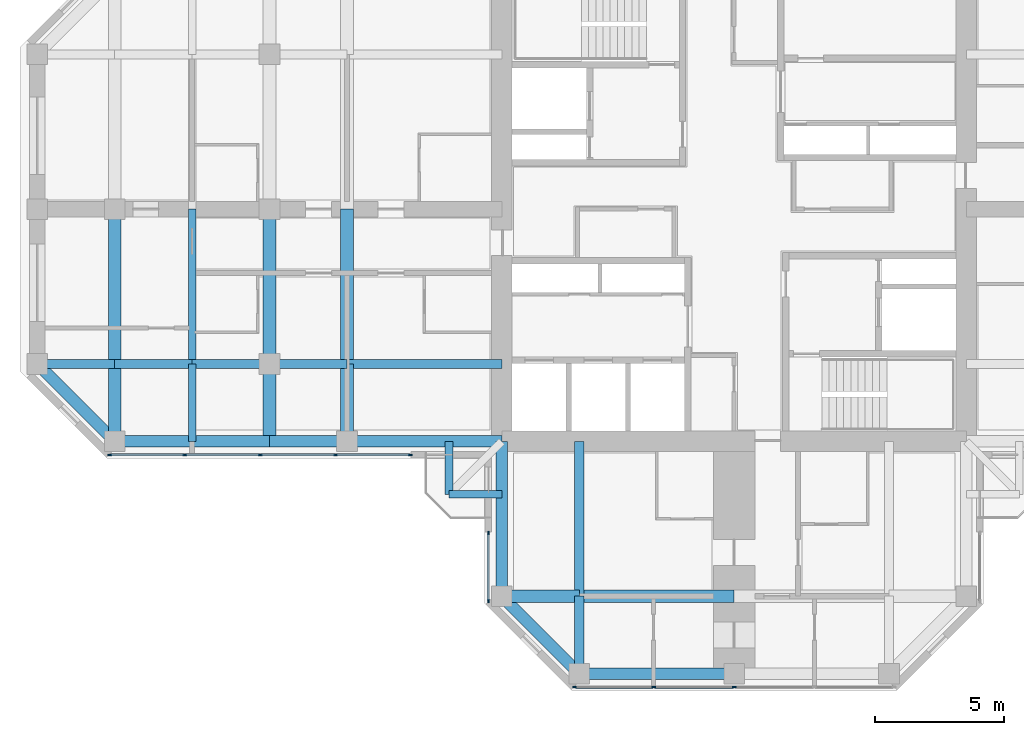
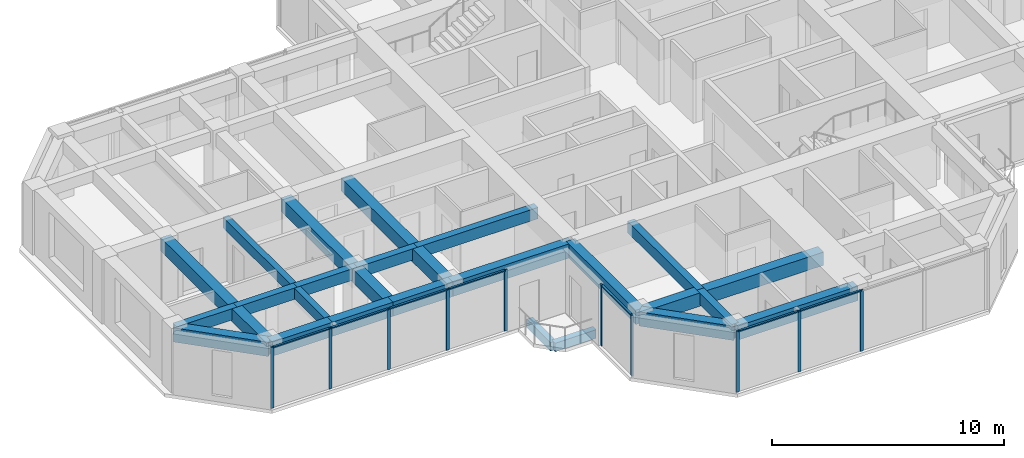
# One storey, part 2 of 14: 27 beams, 17 members, 3 elements without a shape of their own.
"""IFC4 building model written with IfcOpenShell, lengths in metres."""

from ifc_helpers import new_model, si_unit, direction, frame, origin, origin_2d, place, context, subcontext, project, spatial, rectangle, extrude, material, material_profile, profile_set, type_object, element, aggregate, save


model = new_model("IFC4")

# Units and contexts
model_context = context("Model", 3, precision=1e-05, world=origin(), true_north=direction((0.0, 1.0)))
body_context = subcontext(model_context, "Body", "Model", "MODEL_VIEW")
ifc_project = project(units=[si_unit("LENGTHUNIT", "METRE"), si_unit("AREAUNIT", "SQUARE_METRE"), si_unit("VOLUMEUNIT", "CUBIC_METRE"), si_unit("PLANEANGLEUNIT", "RADIAN"), si_unit("MASSUNIT", "GRAM", prefix="KILO")], contexts=[model_context])

# Site, building, storey
site_placement = place(None, origin())
site = spatial("IfcSite", under=ifc_project, at=site_placement, CompositionType="ELEMENT")
building_placement = place(site_placement, origin())
building = spatial("IfcBuilding", under=site, at=building_placement, Name="Torre Cruceta", CompositionType="ELEMENT")
storey_placement = place(building_placement, frame((0.0, 0.0, 228.89990234375)))
storey = spatial("IfcBuildingStorey", under=building, at=storey_placement, Name="L58", CompositionType="ELEMENT", Elevation=228.89990234375)

# Beams
ifc_material_1 = material(Name="Concrete G60 (fck 60 MPa)", Category="concrete")
ifc_material_profile_1 = material_profile(ifc_material_1, rectangle(XDim=0.300048828125, YDim=0.449951171875, at=origin_2d()), Name="RC 300X450")
ifc_profile_set_1 = profile_set([ifc_material_profile_1], Name="Concrete G60 (fck 60 MPa)")
beam_type_1 = type_object("IfcBeamType", Name="BALCONY CANTILEVER BEAM RC 300X450", PredefinedType="BEAM", material=ifc_profile_set_1)
for number, where, z_axis, x_axis, name in (
    (1, (-11.050537109375, -9.0, -0.40478515625), (0.0, -1.0, 0.0), (1.0, 0.0, 0.0), "BB1 balcony edge beam L58 W-X"),
    (2, (-9.0, -11.050537109375, -0.40478515625), (-1.0, 0.0, 0.0), (0.0, -1.0, 0.0), "BB1 balcony edge beam L58 W-Y"),
):
    element("IfcBeam", number, at=place(storey_placement, frame(where, z_axis=z_axis, x_axis=x_axis)), inside=storey, type_object=beam_type_1, Name=name, PredefinedType="BEAM", context=body_context, shape_type="SweptSolid", body=[
        extrude(rectangle(XDim=0.300048828125, YDim=0.449951171875, at=origin_2d()), origin(), (0.0, 0.0, 1.0), 2.050537109375),
    ])
ifc_material_2 = material(Name="Concrete G60 (fck 60 MPa)", Category="concrete")
ifc_material_profile_2 = material_profile(ifc_material_2, rectangle(XDim=0.35009765625, YDim=0.60009765625, at=origin_2d()), Name="RC 350X600")
ifc_profile_set_2 = profile_set([ifc_material_profile_2], Name="Concrete G60 (fck 60 MPa)")
beam_type_2 = type_object("IfcBeamType", Name="COLUMN LINE BEAM RC 350X600", PredefinedType="BEAM", material=ifc_profile_set_2)
beam_1_placement = place(storey_placement, frame((-6.0, -9.0, 2.920166015625), z_axis=(0.0, -1.0, 0.0), x_axis=(1.0, 0.0, 0.0)))
element("IfcBeam", 3, at=beam_1_placement, inside=storey, type_object=beam_type_2, Name="LB9 L58 S col- 1", PredefinedType="BEAM", context=body_context, shape_type="SweptSolid", body=[
    extrude(rectangle(XDim=0.35009765625, YDim=0.60009765625, at=origin_2d()), origin(), (0.0, 0.0, 1.0), 6.0),
])
beam_2_placement = place(storey_placement, frame((-6.0, -15.0, 2.920166015625), z_axis=(0.0, -1.0, 0.0), x_axis=(1.0, 0.0, 0.0)))
element("IfcBeam", 4, at=beam_2_placement, inside=storey, type_object=beam_type_2, Name="LB9 L58 S col- 2", PredefinedType="BEAM", context=body_context, shape_type="SweptSolid", body=[
    extrude(rectangle(XDim=0.35009765625, YDim=0.60009765625, at=origin_2d()), origin(), (0.0, 0.0, 1.0), 3.0),
])
beam_3_placement = place(storey_placement, frame((-9.0, -6.0, 2.920166015625), z_axis=(-1.0, 0.0, 0.0), x_axis=(0.0, -1.0, 0.0)))
element("IfcBeam", 5, at=beam_3_placement, inside=storey, type_object=beam_type_2, Name="LB9 L58 W col+ 1", PredefinedType="BEAM", context=body_context, shape_type="SweptSolid", body=[
    extrude(rectangle(XDim=0.35009765625, YDim=0.60009765625, at=origin_2d()), origin(), (0.0, 0.0, 1.0), 6.0),
])
for number, where, z_axis, x_axis, name in (
    (6, (-15.0, -6.0, 2.920166015625), (-1.0, 0.0, 0.0), (0.0, -1.0, 0.0), "LB9 L58 W col+ 2"),
    (7, (-18.0, -6.0, 2.920166015625), (-1.0, 0.0, 0.0), (0.0, -1.0, 0.0), "LB9 L58 W col+ 3"),
    (8, (-21.0, -6.0, 2.920166015625), (-1.0, 0.0, 0.0), (0.0, -1.0, 0.0), "LB9 L58 W col+ 4"),
    (9, (-24.0, -6.0, 2.920166015625), (-1.0, 0.0, 0.0), (0.0, -1.0, 0.0), "LB9 L58 W col+ 5"),
):
    element("IfcBeam", number, at=place(storey_placement, frame(where, z_axis=z_axis, x_axis=x_axis)), inside=storey, type_object=beam_type_2, Name=name, PredefinedType="BEAM", context=body_context, shape_type="SweptSolid", body=[
        extrude(rectangle(XDim=0.35009765625, YDim=0.60009765625, at=origin_2d()), origin(), (0.0, 0.0, 1.0), 3.0),
    ])
ifc_material_3 = material(Name="Concrete G60 (fck 60 MPa)", Category="concrete")
ifc_material_profile_3 = material_profile(ifc_material_3, rectangle(XDim=0.5, YDim=0.699951171875, at=origin_2d()), Name="RC 500X700")
ifc_profile_set_3 = profile_set([ifc_material_profile_3], Name="Concrete G60 (fck 60 MPa)")
beam_type_3 = type_object("IfcBeamType", Name="CROSS BEAM RC 500X700", PredefinedType="BEAM", material=ifc_profile_set_3)
beam_4_placement = place(storey_placement, frame((-9.0, -15.0, 2.8701171875), z_axis=(1.0, 0.0, 0.0), x_axis=(0.0, 1.0, 0.0)))
element("IfcBeam", 10, at=beam_4_placement, inside=storey, type_object=beam_type_3, Name="GB7 L58 S cross15 1", PredefinedType="BEAM", context=body_context, shape_type="SweptSolid", body=[
    extrude(rectangle(XDim=0.5, YDim=0.699951171875, at=origin_2d()), origin(), (0.0, 0.0, 1.0), 3.0),
])
for number, where, z_axis, x_axis, name in (
    (11, (-6.0, -15.0, 2.8701171875), (1.0, 0.0, 0.0), (0.0, 1.0, 0.0), "GB7 L58 S cross15 2"),
    (12, (-15.0, 0.0, 2.8701171875), (0.0, -1.0, 0.0), (1.0, 0.0, 0.0), "GB7 L58 W cross15 3"),
):
    element("IfcBeam", number, at=place(storey_placement, frame(where, z_axis=z_axis, x_axis=x_axis)), inside=storey, type_object=beam_type_3, Name=name, PredefinedType="BEAM", context=body_context, shape_type="SweptSolid", body=[
        extrude(rectangle(XDim=0.5, YDim=0.699951171875, at=origin_2d()), origin(), (0.0, 0.0, 1.0), 6.0),
    ])
beam_5_placement = place(storey_placement, frame((-15.0, -6.0, 2.8701171875), z_axis=(0.0, -1.0, 0.0), x_axis=(1.0, 0.0, 0.0)))
element("IfcBeam", 13, at=beam_5_placement, inside=storey, type_object=beam_type_3, Name="GB7 L58 W cross15 4", PredefinedType="BEAM", context=body_context, shape_type="SweptSolid", body=[
    extrude(rectangle(XDim=0.5, YDim=0.699951171875, at=origin_2d()), origin(), (0.0, 0.0, 1.0), 3.0),
])
beam_6_placement = place(storey_placement, frame((-18.0, 0.0, 2.8701171875), z_axis=(0.0, -1.0, 0.0), x_axis=(1.0, 0.0, 0.0)))
element("IfcBeam", 14, at=beam_6_placement, inside=storey, type_object=beam_type_3, Name="GB7 L58 W cross18 3", PredefinedType="BEAM", context=body_context, shape_type="SweptSolid", body=[
    extrude(rectangle(XDim=0.5, YDim=0.699951171875, at=origin_2d()), origin(), (0.0, 0.0, 1.0), 6.0),
])
beam_7_placement = place(storey_placement, frame((-18.0, -6.0, 2.8701171875), z_axis=(0.0, -1.0, 0.0), x_axis=(1.0, 0.0, 0.0)))
element("IfcBeam", 15, at=beam_7_placement, inside=storey, type_object=beam_type_3, Name="GB7 L58 W cross18 4", PredefinedType="BEAM", context=body_context, shape_type="SweptSolid", body=[
    extrude(rectangle(XDim=0.5, YDim=0.699951171875, at=origin_2d()), origin(), (0.0, 0.0, 1.0), 3.0),
])
beam_8_placement = place(storey_placement, frame((-24.0, 0.0, 2.8701171875), z_axis=(0.0, -1.0, 0.0), x_axis=(1.0, 0.0, 0.0)))
element("IfcBeam", 16, at=beam_8_placement, inside=storey, type_object=beam_type_3, Name="GB7 L58 W cross24 3", PredefinedType="BEAM", context=body_context, shape_type="SweptSolid", body=[
    extrude(rectangle(XDim=0.5, YDim=0.699951171875, at=origin_2d()), origin(), (0.0, 0.0, 1.0), 6.0),
])
beam_9_placement = place(storey_placement, frame((-24.0, -6.0, 2.8701171875), z_axis=(0.0, -1.0, 0.0), x_axis=(1.0, 0.0, 0.0)))
element("IfcBeam", 17, at=beam_9_placement, inside=storey, type_object=beam_type_3, Name="GB7 L58 W cross24 4", PredefinedType="BEAM", context=body_context, shape_type="SweptSolid", body=[
    extrude(rectangle(XDim=0.5, YDim=0.699951171875, at=origin_2d()), origin(), (0.0, 0.0, 1.0), 3.0),
])

# Curtain wall, members
ifc_material_4 = material(Name="Aluminium unitised curtain wall", Category="aluminium")
curtain_wall_type = type_object("IfcCurtainWallType", Name="CURTAIN WALL CW-D CO-LIVING UPPER", PredefinedType="USERDEFINED", material=ifc_material_4)
curtain_wall_1_placement = place(storey_placement, origin())
curtain_wall_1 = element("IfcCurtainWall", 18, at=curtain_wall_1_placement, inside=storey, type_object=curtain_wall_type, Name="CW-D L58 W side 14", ObjectType="UNITISED", PredefinedType="USERDEFINED")
ifc_material_5 = material(Name="Aluminium mullion", Category="aluminium")
ifc_material_profile_4 = material_profile(ifc_material_5, rectangle(XDim=0.06005859375, YDim=0.14990234375, at=origin_2d()), Name="AL 60X150")
ifc_profile_set_4 = profile_set([ifc_material_profile_4], Name="Aluminium mullion")
member_type_1 = type_object("IfcMemberType", Name="CW-D MULLION 60X150", PredefinedType="MULLION", material=ifc_profile_set_4)
member_1_placement = place(storey_placement, frame((-24.185302734375, -9.52001953125, 0.0), z_axis=(0.0, 0.0, 1.0), x_axis=(0.0, 1.0, 0.0)))
member_1 = element("IfcMember", 19, at=member_1_placement, type_object=member_type_1, Name="CW-D mullion 1", PredefinedType="MULLION", context=body_context, shape_type="SweptSolid", body=[
    extrude(rectangle(XDim=0.06005859375, YDim=0.14990234375, at=origin_2d()), origin(), (0.0, 0.0, 1.0), 3.22021484375),
])
member_2_placement = place(storey_placement, frame((-21.29150390625, -9.52001953125, 0.0), z_axis=(0.0, 0.0, 1.0), x_axis=(0.0, 1.0, 0.0)))
member_2 = element("IfcMember", 20, at=member_2_placement, type_object=member_type_1, Name="CW-D mullion 2", PredefinedType="MULLION", context=body_context, shape_type="SweptSolid", body=[
    extrude(rectangle(XDim=0.06005859375, YDim=0.14990234375, at=origin_2d()), origin(), (0.0, 0.0, 1.0), 3.22021484375),
])
member_3_placement = place(storey_placement, frame((-18.36767578125, -9.52001953125, 0.0), z_axis=(0.0, 0.0, 1.0), x_axis=(0.0, 1.0, 0.0)))
member_3 = element("IfcMember", 21, at=member_3_placement, type_object=member_type_1, Name="CW-D mullion 3", PredefinedType="MULLION", context=body_context, shape_type="SweptSolid", body=[
    extrude(rectangle(XDim=0.06005859375, YDim=0.14990234375, at=origin_2d()), origin(), (0.0, 0.0, 1.0), 3.22021484375),
])
member_4_placement = place(storey_placement, frame((-15.44384765625, -9.52001953125, 0.0), z_axis=(0.0, 0.0, 1.0), x_axis=(0.0, 1.0, 0.0)))
member_4 = element("IfcMember", 22, at=member_4_placement, type_object=member_type_1, Name="CW-D mullion 4", PredefinedType="MULLION", context=body_context, shape_type="SweptSolid", body=[
    extrude(rectangle(XDim=0.06005859375, YDim=0.14990234375, at=origin_2d()), origin(), (0.0, 0.0, 1.0), 3.22021484375),
])
member_5_placement = place(storey_placement, frame((-12.550048828125, -9.52001953125, 0.0), z_axis=(0.0, 0.0, 1.0), x_axis=(0.0, 1.0, 0.0)))
member_5 = element("IfcMember", 23, at=member_5_placement, type_object=member_type_1, Name="CW-D mullion 5", PredefinedType="MULLION", context=body_context, shape_type="SweptSolid", body=[
    extrude(rectangle(XDim=0.06005859375, YDim=0.14990234375, at=origin_2d()), origin(), (0.0, 0.0, 1.0), 3.22021484375),
])

curtain_wall_2_placement = place(storey_placement, origin())
curtain_wall_2 = element("IfcCurtainWall", 24, at=curtain_wall_2_placement, inside=storey, type_object=curtain_wall_type, Name="CW-D L58 S side 15", ObjectType="UNITISED", PredefinedType="USERDEFINED")
member_6_placement = place(storey_placement, frame((-9.52001953125, -12.550048828125, 0.0), z_axis=(0.0, 0.0, 1.0), x_axis=(1.0, 0.0, 0.0)))
member_6 = element("IfcMember", 25, at=member_6_placement, type_object=member_type_1, Name="CW-D mullion 1", PredefinedType="MULLION", context=body_context, shape_type="SweptSolid", body=[
    extrude(rectangle(XDim=0.06005859375, YDim=0.14990234375, at=origin_2d()), origin(), (0.0, 0.0, 1.0), 3.22021484375),
])
member_7_placement = place(storey_placement, frame((-9.52001953125, -15.185302734375, 0.0), z_axis=(0.0, 0.0, 1.0), x_axis=(1.0, 0.0, 0.0)))
member_7 = element("IfcMember", 26, at=member_7_placement, type_object=member_type_1, Name="CW-D mullion 2", PredefinedType="MULLION", context=body_context, shape_type="SweptSolid", body=[
    extrude(rectangle(XDim=0.06005859375, YDim=0.14990234375, at=origin_2d()), origin(), (0.0, 0.0, 1.0), 3.22021484375),
])

curtain_wall_3_placement = place(storey_placement, origin())
curtain_wall_3 = element("IfcCurtainWall", 27, at=curtain_wall_3_placement, inside=storey, type_object=curtain_wall_type, Name="CW-D L58 S tip 17", ObjectType="UNITISED", PredefinedType="USERDEFINED")
member_8_placement = place(storey_placement, frame((-6.185302734375, -18.52001953125, 0.0), z_axis=(0.0, 0.0, 1.0), x_axis=(0.0, 1.0, 0.0)))
member_8 = element("IfcMember", 28, at=member_8_placement, type_object=member_type_1, Name="CW-D mullion 1", PredefinedType="MULLION", context=body_context, shape_type="SweptSolid", body=[
    extrude(rectangle(XDim=0.06005859375, YDim=0.14990234375, at=origin_2d()), origin(), (0.0, 0.0, 1.0), 3.22021484375),
])
member_9_placement = place(storey_placement, frame((-3.107666015625, -18.52001953125, 0.0), z_axis=(0.0, 0.0, 1.0), x_axis=(0.0, 1.0, 0.0)))
member_9 = element("IfcMember", 29, at=member_9_placement, type_object=member_type_1, Name="CW-D mullion 2", PredefinedType="MULLION", context=body_context, shape_type="SweptSolid", body=[
    extrude(rectangle(XDim=0.06005859375, YDim=0.14990234375, at=origin_2d()), origin(), (0.0, 0.0, 1.0), 3.22021484375),
])
member_10_placement = place(storey_placement, frame((0.0, -18.52001953125, 0.0), z_axis=(0.0, 0.0, 1.0), x_axis=(0.0, 1.0, 0.0)))
member_10 = element("IfcMember", 30, at=member_10_placement, type_object=member_type_1, Name="CW-D mullion 3", PredefinedType="MULLION", context=body_context, shape_type="SweptSolid", body=[
    extrude(rectangle(XDim=0.06005859375, YDim=0.14990234375, at=origin_2d()), origin(), (0.0, 0.0, 1.0), 3.22021484375),
])

# Member
ifc_material_6 = material(Name="Aluminium transom", Category="aluminium")
ifc_material_profile_5 = material_profile(ifc_material_6, rectangle(XDim=0.10009765625, YDim=0.06005859375, at=origin_2d()), Name="AL 100X60")
ifc_profile_set_5 = profile_set([ifc_material_profile_5], Name="Aluminium transom")
member_type_2 = type_object("IfcMemberType", Name="CW-D TRANSOM 60X100", PredefinedType="USERDEFINED", material=ifc_profile_set_5)
member_11_placement = place(storey_placement, frame((-24.1552734375, -9.52001953125, 3.190185546875), z_axis=(1.0, 0.0, 0.0), x_axis=(0.0, 1.0, 0.0)))
member_11 = element("IfcMember", 31, at=member_11_placement, type_object=member_type_2, Name="CW-D transom 1", ObjectType="TRANSOM", PredefinedType="USERDEFINED", context=body_context, shape_type="SweptSolid", body=[
    extrude(rectangle(XDim=0.10009765625, YDim=0.06005859375, at=origin_2d()), origin(), (0.0, 0.0, 1.0), 2.833740234375),
])

member_12_placement = place(storey_placement, frame((-21.261474609375, -9.52001953125, 3.190185546875), z_axis=(1.0, 0.0, 0.0), x_axis=(0.0, 1.0, 0.0)))
member_12 = element("IfcMember", 32, at=member_12_placement, type_object=member_type_2, Name="CW-D transom 2", ObjectType="TRANSOM", PredefinedType="USERDEFINED", context=body_context, shape_type="SweptSolid", body=[
    extrude(rectangle(XDim=0.10009765625, YDim=0.06005859375, at=origin_2d()), origin(), (0.0, 0.0, 1.0), 2.86376953125),
])

member_13_placement = place(storey_placement, frame((-18.337646484375, -9.52001953125, 3.190185546875), z_axis=(1.0, 0.0, 0.0), x_axis=(0.0, 1.0, 0.0)))
member_13 = element("IfcMember", 33, at=member_13_placement, type_object=member_type_2, Name="CW-D transom 3", ObjectType="TRANSOM", PredefinedType="USERDEFINED", context=body_context, shape_type="SweptSolid", body=[
    extrude(rectangle(XDim=0.10009765625, YDim=0.06005859375, at=origin_2d()), origin(), (0.0, 0.0, 1.0), 2.86376953125),
])

member_14_placement = place(storey_placement, frame((-15.413818359375, -9.52001953125, 3.190185546875), z_axis=(1.0, 0.0, 0.0), x_axis=(0.0, 1.0, 0.0)))
member_14 = element("IfcMember", 34, at=member_14_placement, type_object=member_type_2, Name="CW-D transom 4", ObjectType="TRANSOM", PredefinedType="USERDEFINED", context=body_context, shape_type="SweptSolid", body=[
    extrude(rectangle(XDim=0.10009765625, YDim=0.06005859375, at=origin_2d()), origin(), (0.0, 0.0, 1.0), 2.833740234375),
])

aggregate(curtain_wall_1, [member_1, member_2, member_3, member_4, member_5, member_11, member_12, member_13, member_14])

member_15_placement = place(storey_placement, frame((-9.52001953125, -12.580078125, 3.190185546875), z_axis=(0.0, -1.0, 0.0), x_axis=(1.0, 0.0, 0.0)))
member_15 = element("IfcMember", 35, at=member_15_placement, type_object=member_type_2, Name="CW-D transom 1", ObjectType="TRANSOM", PredefinedType="USERDEFINED", context=body_context, shape_type="SweptSolid", body=[
    extrude(rectangle(XDim=0.10009765625, YDim=0.06005859375, at=origin_2d()), origin(), (0.0, 0.0, 1.0), 2.5751953125),
])

aggregate(curtain_wall_2, [member_6, member_7, member_15])

member_16_placement = place(storey_placement, frame((-6.1552734375, -18.52001953125, 3.190185546875), z_axis=(1.0, 0.0, 0.0), x_axis=(0.0, 1.0, 0.0)))
member_16 = element("IfcMember", 36, at=member_16_placement, type_object=member_type_2, Name="CW-D transom 1", ObjectType="TRANSOM", PredefinedType="USERDEFINED", context=body_context, shape_type="SweptSolid", body=[
    extrude(rectangle(XDim=0.10009765625, YDim=0.06005859375, at=origin_2d()), origin(), (0.0, 0.0, 1.0), 3.017578125),
])

member_17_placement = place(storey_placement, frame((-3.07763671875, -18.52001953125, 3.190185546875), z_axis=(1.0, 0.0, 0.0), x_axis=(0.0, 1.0, 0.0)))
member_17 = element("IfcMember", 37, at=member_17_placement, type_object=member_type_2, Name="CW-D transom 2", ObjectType="TRANSOM", PredefinedType="USERDEFINED", context=body_context, shape_type="SweptSolid", body=[
    extrude(rectangle(XDim=0.10009765625, YDim=0.06005859375, at=origin_2d()), origin(), (0.0, 0.0, 1.0), 3.047607421875),
])

aggregate(curtain_wall_3, [member_8, member_9, member_10, member_16, member_17])

# Beams
ifc_material_7 = material(Name="Concrete G60 (fck 60 MPa)", Category="concrete")
ifc_material_profile_6 = material_profile(ifc_material_7, rectangle(XDim=0.300048828125, YDim=0.550048828125, at=origin_2d()), Name="RC 300X550")
ifc_profile_set_6 = profile_set([ifc_material_profile_6], Name="Concrete G60 (fck 60 MPa)")
beam_type_4 = type_object("IfcBeamType", Name="SECONDARY BEAM RC 300X550", PredefinedType="JOIST", material=ifc_profile_set_6)
beam_10_placement = place(storey_placement, frame((-21.0, 0.0, 2.945068359375), z_axis=(0.0, -1.0, 0.0), x_axis=(1.0, 0.0, 0.0)))
element("IfcBeam", 38, at=beam_10_placement, inside=storey, type_object=beam_type_4, Name="JB7 L58 W sec21 3", PredefinedType="JOIST", context=body_context, shape_type="SweptSolid", body=[
    extrude(rectangle(XDim=0.300048828125, YDim=0.550048828125, at=origin_2d()), origin(), (0.0, 0.0, 1.0), 6.0),
])
beam_11_placement = place(storey_placement, frame((-21.0, -6.0, 2.945068359375), z_axis=(0.0, -1.0, 0.0), x_axis=(1.0, 0.0, 0.0)))
element("IfcBeam", 39, at=beam_11_placement, inside=storey, type_object=beam_type_4, Name="JB7 L58 W sec21 4", PredefinedType="JOIST", context=body_context, shape_type="SweptSolid", body=[
    extrude(rectangle(XDim=0.300048828125, YDim=0.550048828125, at=origin_2d()), origin(), (0.0, 0.0, 1.0), 3.0),
])
ifc_material_8 = material(Name="Concrete G60 (fck 60 MPa)", Category="concrete")
ifc_material_profile_7 = material_profile(ifc_material_8, rectangle(XDim=0.449951171875, YDim=0.75, at=origin_2d()), Name="RC 450X750")
ifc_profile_set_7 = profile_set([ifc_material_profile_7], Name="Concrete G60 (fck 60 MPa)")
beam_type_5 = type_object("IfcBeamType", Name="SPANDREL BEAM RC 450X750", PredefinedType="SPANDREL", material=ifc_profile_set_7)
beam_12_placement = place(storey_placement, frame((-9.0, -9.0, 2.84521484375), z_axis=(0.0, -1.0, 0.0), x_axis=(1.0, 0.0, 0.0)))
element("IfcBeam", 40, at=beam_12_placement, inside=storey, type_object=beam_type_5, Name="SB7 L58 S side- 1", PredefinedType="SPANDREL", context=body_context, shape_type="SweptSolid", body=[
    extrude(rectangle(XDim=0.449951171875, YDim=0.75, at=origin_2d()), origin(), (0.0, 0.0, 1.0), 6.0),
])
beam_13_placement = place(storey_placement, frame((-9.0, -15.0, 2.84521484375), z_axis=(0.707106781187, -0.707106781187, 0.0), x_axis=(0.707106781187, 0.707106781187, 0.0)))
element("IfcBeam", 41, at=beam_13_placement, inside=storey, type_object=beam_type_5, Name="SB7 L58 S side- 2", PredefinedType="SPANDREL", context=body_context, shape_type="SweptSolid", body=[
    extrude(rectangle(XDim=0.449951171875, YDim=0.75, at=origin_2d()), origin(), (0.0, 0.0, 1.0), 4.24267578125),
])
for number, where, z_axis, x_axis, name in (
    (42, (-6.0, -18.0, 2.84521484375), (1.0, 0.0, 0.0), (0.0, 1.0, 0.0), "SB7 L58 S tip 1"),
    (43, (-9.0, -9.0, 2.84521484375), (-1.0, 0.0, 0.0), (0.0, -1.0, 0.0), "SB7 L58 W side+ 1"),
):
    element("IfcBeam", number, at=place(storey_placement, frame(where, z_axis=z_axis, x_axis=x_axis)), inside=storey, type_object=beam_type_5, Name=name, PredefinedType="SPANDREL", context=body_context, shape_type="SweptSolid", body=[
        extrude(rectangle(XDim=0.449951171875, YDim=0.75, at=origin_2d()), origin(), (0.0, 0.0, 1.0), 6.0),
    ])
for number, where, z_axis, x_axis, name in (
    (44, (-15.0, -9.0, 2.84521484375), (-1.0, 0.0, 0.0), (0.0, -1.0, 0.0), "SB7 L58 W side+ 2"),
    (45, (-18.0, -9.0, 2.84521484375), (-1.0, 0.0, 0.0), (0.0, -1.0, 0.0), "SB7 L58 W side+ 3"),
    (46, (-21.0, -9.0, 2.84521484375), (-1.0, 0.0, 0.0), (0.0, -1.0, 0.0), "SB7 L58 W side+ 4"),
):
    element("IfcBeam", number, at=place(storey_placement, frame(where, z_axis=z_axis, x_axis=x_axis)), inside=storey, type_object=beam_type_5, Name=name, PredefinedType="SPANDREL", context=body_context, shape_type="SweptSolid", body=[
        extrude(rectangle(XDim=0.449951171875, YDim=0.75, at=origin_2d()), origin(), (0.0, 0.0, 1.0), 3.0),
    ])
beam_14_placement = place(storey_placement, frame((-24.0, -9.0, 2.84521484375), z_axis=(-0.707106781187, 0.707106781187, 0.0), x_axis=(-0.707106781187, -0.707106781187, 0.0)))
element("IfcBeam", 47, at=beam_14_placement, inside=storey, type_object=beam_type_5, Name="SB7 L58 W side+ 5", PredefinedType="SPANDREL", context=body_context, shape_type="SweptSolid", body=[
    extrude(rectangle(XDim=0.449951171875, YDim=0.75, at=origin_2d()), origin(), (0.0, 0.0, 1.0), 4.24267578125),
])

save(model, "model.ifc")
